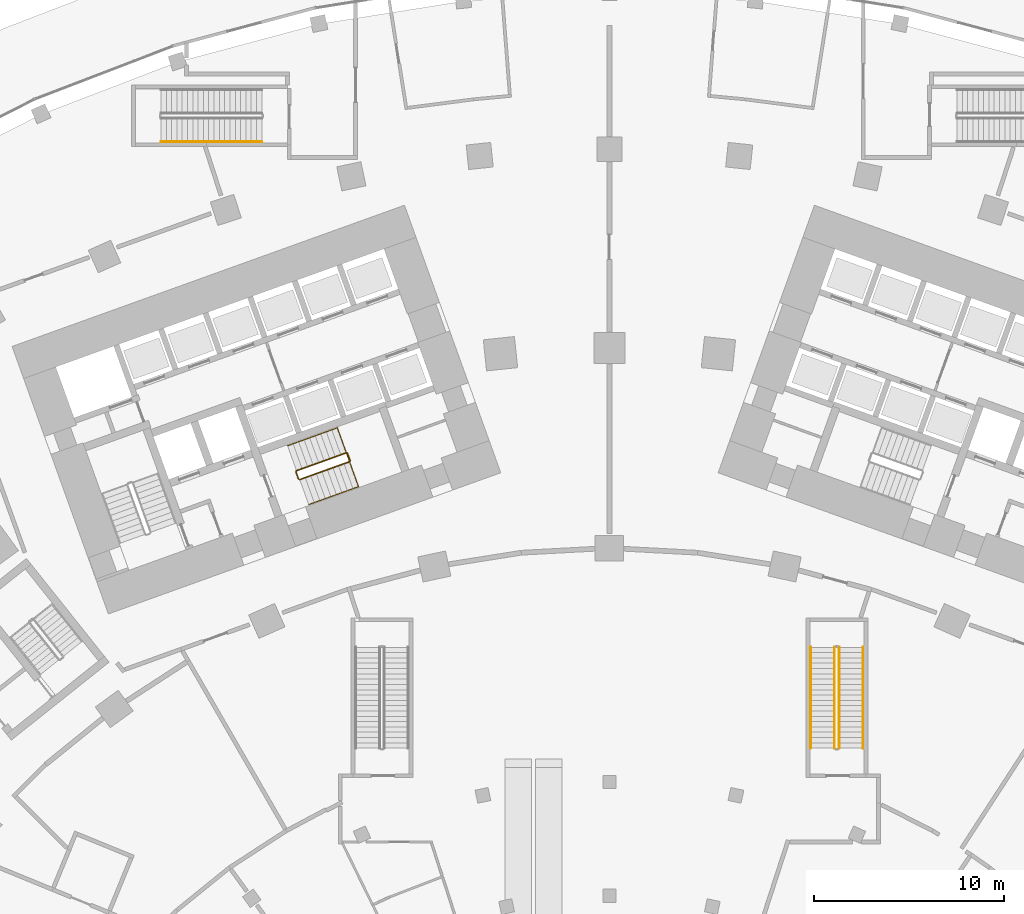
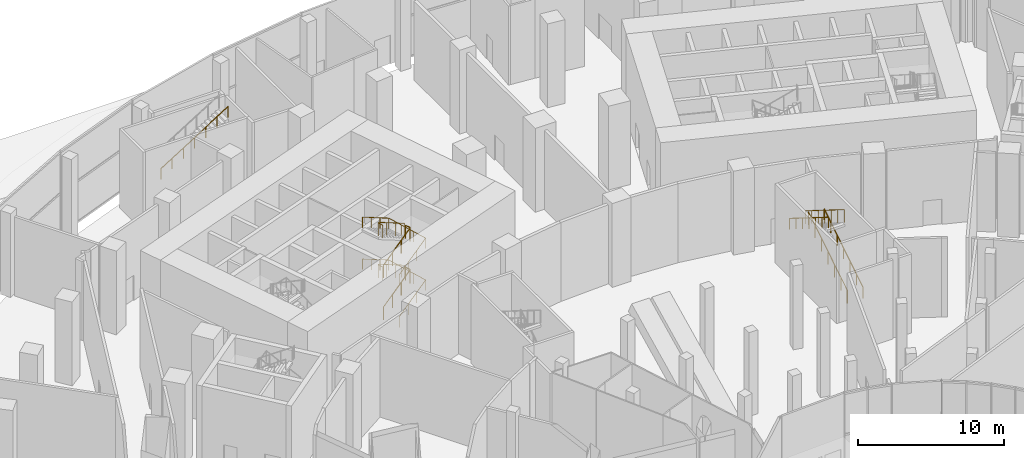
# One storey, part 52 of 60: 11 railings.
"""IFC4 building model written with IfcOpenShell, lengths in metres."""

from ifc_helpers import new_model, si_unit, direction, frame, origin, origin_2d, place, context, subcontext, project, spatial, circle, extrude, material, type_object, element, save


model = new_model("IFC4")

# Units and contexts
model_context = context("Model", 3, precision=1e-05, world=origin(), true_north=direction((0.0, 1.0)))
body_context = subcontext(model_context, "Body", "Model", "MODEL_VIEW")
ifc_project = project(units=[si_unit("LENGTHUNIT", "METRE"), si_unit("AREAUNIT", "SQUARE_METRE"), si_unit("VOLUMEUNIT", "CUBIC_METRE"), si_unit("PLANEANGLEUNIT", "RADIAN"), si_unit("MASSUNIT", "GRAM", prefix="KILO")], contexts=[model_context])

# Site, building, storey
site_placement = place(None, origin())
site = spatial("IfcSite", under=ifc_project, at=site_placement, CompositionType="ELEMENT")
building_placement = place(site_placement, origin())
building = spatial("IfcBuilding", under=site, at=building_placement, Name="Stone Belt Terrace Tower", CompositionType="ELEMENT")
storey_placement = place(building_placement, origin())
storey = spatial("IfcBuildingStorey", under=building, at=storey_placement, Name="L00", CompositionType="ELEMENT", Elevation=0.0)

# Railings
ifc_material_1 = material(Name="Steel balustrade", Category="steel")
railing_type_1 = type_object("IfcRailingType", Name="Podium stair guard", PredefinedType="GUARDRAIL", material=ifc_material_1)
railing_1_placement = place(storey_placement, frame((12.125, 33.889892578125, 0.175048828125)))
element("IfcRailing", 1, at=railing_1_placement, inside=storey, type_object=railing_type_1, Name="L00 PS6 stair guard 1", PredefinedType="GUARDRAIL", context=body_context, shape_type="SweptSolid", body=[
    extrude(circle(Radius=0.02392578125, at=origin_2d()), frame((0.0, 0.0, 1.076171875), z_axis=(0.0, 0.848004862711, 0.52998844593), x_axis=(-1.0, 0.0, 0.0)), (0.0, 0.0, 1.0), 6.273681640625),
    extrude(circle(Radius=0.02099609375, at=origin_2d()), origin(), (0.0, 0.0, 1.0), 1.052001953125),
    extrude(circle(Radius=0.02099609375, at=origin_2d()), frame((0.0, 0.88671875, 0.55419921875)), (0.0, 0.0, 1.0), 1.052001953125),
    extrude(circle(Radius=0.02099609375, at=origin_2d()), frame((0.0, 1.7734375, 1.1083984375)), (0.0, 0.0, 1.0), 1.052001953125),
    extrude(circle(Radius=0.02099609375, at=origin_2d()), frame((0.0, 2.66015625, 1.66259765625)), (0.0, 0.0, 1.0), 1.052001953125),
    extrude(circle(Radius=0.02099609375, at=origin_2d()), frame((0.0, 3.546630859375, 2.216552734375)), (0.0, 0.0, 1.0), 1.052001953125),
    extrude(circle(Radius=0.02099609375, at=origin_2d()), frame((0.0, 4.433349609375, 2.770751953125)), (0.0, 0.0, 1.0), 1.052001953125),
    extrude(circle(Radius=0.02099609375, at=origin_2d()), frame((0.0, 5.320068359375, 3.324951171875)), (0.0, 0.0, 1.0), 1.052001953125),
])
railing_2_placement = place(storey_placement, frame((11.875, 39.2099609375, 3.675048828125)))
element("IfcRailing", 2, at=railing_2_placement, inside=storey, type_object=railing_type_1, Name="L00 PS6 stair guard 3", PredefinedType="GUARDRAIL", context=body_context, shape_type="SweptSolid", body=[
    extrude(circle(Radius=0.02392578125, at=origin_2d()), frame((0.0, 0.0, 1.076171875), z_axis=(0.0, -0.848004862711, 0.52998844593), x_axis=(1.0, 0.0, 0.0)), (0.0, 0.0, 1.0), 6.273681640625),
    extrude(circle(Radius=0.02099609375, at=origin_2d()), origin(), (0.0, 0.0, 1.0), 1.052001953125),
    extrude(circle(Radius=0.02099609375, at=origin_2d()), frame((0.0, -0.88671875, 0.55419921875)), (0.0, 0.0, 1.0), 1.052001953125),
    extrude(circle(Radius=0.02099609375, at=origin_2d()), frame((0.0, -1.7734375, 1.1083984375)), (0.0, 0.0, 1.0), 1.052001953125),
    extrude(circle(Radius=0.02099609375, at=origin_2d()), frame((0.0, -2.66015625, 1.66259765625)), (0.0, 0.0, 1.0), 1.052001953125),
    extrude(circle(Radius=0.02099609375, at=origin_2d()), frame((0.0, -3.546630859375, 2.216552734375)), (0.0, 0.0, 1.0), 1.052001953125),
    extrude(circle(Radius=0.02099609375, at=origin_2d()), frame((0.0, -4.433349609375, 2.770751953125)), (0.0, 0.0, 1.0), 1.052001953125),
    extrude(circle(Radius=0.02099609375, at=origin_2d()), frame((0.0, -5.320068359375, 3.324951171875)), (0.0, 0.0, 1.0), 1.052001953125),
])
ifc_material_2 = material(Name="Stainless steel handrail", Category="steel")
railing_type_2 = type_object("IfcRailingType", Name="Podium stair handrail", PredefinedType="HANDRAIL", material=ifc_material_2)
railing_3_placement = place(storey_placement, frame((13.375, 33.889892578125, 0.175048828125)))
element("IfcRailing", 3, at=railing_3_placement, inside=storey, type_object=railing_type_2, Name="L00 PS6 stair handrail 1", PredefinedType="HANDRAIL", context=body_context, shape_type="SweptSolid", body=[
    extrude(circle(Radius=0.02392578125, at=origin_2d()), frame((0.0, 0.0, 0.8759765625), z_axis=(0.0, 0.848004862711, 0.52998844593), x_axis=(-1.0, 0.0, 0.0)), (0.0, 0.0, 1.0), 6.273681640625),
    extrude(circle(Radius=0.02099609375, at=origin_2d()), origin(), (0.0, 0.0, 1.0), 0.851806640625),
    extrude(circle(Radius=0.02099609375, at=origin_2d()), frame((0.0, 0.88671875, 0.55419921875)), (0.0, 0.0, 1.0), 0.851806640625),
    extrude(circle(Radius=0.02099609375, at=origin_2d()), frame((0.0, 1.7734375, 1.1083984375)), (0.0, 0.0, 1.0), 0.851806640625),
    extrude(circle(Radius=0.02099609375, at=origin_2d()), frame((0.0, 2.66015625, 1.66259765625)), (0.0, 0.0, 1.0), 0.851806640625),
    extrude(circle(Radius=0.02099609375, at=origin_2d()), frame((0.0, 3.546630859375, 2.216552734375)), (0.0, 0.0, 1.0), 0.851806640625),
    extrude(circle(Radius=0.02099609375, at=origin_2d()), frame((0.0, 4.433349609375, 2.770751953125)), (0.0, 0.0, 1.0), 0.851806640625),
    extrude(circle(Radius=0.02099609375, at=origin_2d()), frame((0.0, 5.320068359375, 3.324951171875)), (0.0, 0.0, 1.0), 0.851806640625),
])
railing_4_placement = place(storey_placement, frame((10.625, 39.2099609375, 3.675048828125)))
element("IfcRailing", 4, at=railing_4_placement, inside=storey, type_object=railing_type_2, Name="L00 PS6 stair handrail 2", PredefinedType="HANDRAIL", context=body_context, shape_type="SweptSolid", body=[
    extrude(circle(Radius=0.02392578125, at=origin_2d()), frame((0.0, 0.0, 0.8759765625), z_axis=(0.0, -0.848004862711, 0.52998844593), x_axis=(1.0, 0.0, 0.0)), (0.0, 0.0, 1.0), 6.273681640625),
    extrude(circle(Radius=0.02099609375, at=origin_2d()), origin(), (0.0, 0.0, 1.0), 0.851806640625),
    extrude(circle(Radius=0.02099609375, at=origin_2d()), frame((0.0, -0.88671875, 0.55419921875)), (0.0, 0.0, 1.0), 0.851806640625),
    extrude(circle(Radius=0.02099609375, at=origin_2d()), frame((0.0, -1.7734375, 1.1083984375)), (0.0, 0.0, 1.0), 0.851806640625),
    extrude(circle(Radius=0.02099609375, at=origin_2d()), frame((0.0, -2.66015625, 1.66259765625)), (0.0, 0.0, 1.0), 0.851806640625),
    extrude(circle(Radius=0.02099609375, at=origin_2d()), frame((0.0, -3.546630859375, 2.216552734375)), (0.0, 0.0, 1.0), 0.851806640625),
    extrude(circle(Radius=0.02099609375, at=origin_2d()), frame((0.0, -4.433349609375, 2.770751953125)), (0.0, 0.0, 1.0), 0.851806640625),
    extrude(circle(Radius=0.02099609375, at=origin_2d()), frame((0.0, -5.320068359375, 3.324951171875)), (0.0, 0.0, 1.0), 0.851806640625),
])
railing_5_placement = place(storey_placement, frame((-23.659912109375, 65.875, 3.675048828125)))
element("IfcRailing", 5, at=railing_5_placement, inside=storey, type_object=railing_type_2, Name="L00 PS7 stair handrail 2", PredefinedType="HANDRAIL", context=body_context, shape_type="SweptSolid", body=[
    extrude(circle(Radius=0.02392578125, at=origin_2d()), frame((0.0, 0.0, 0.8759765625), z_axis=(0.847993931318, 0.0, 0.530005936238), x_axis=(0.0, 1.0, 0.0)), (0.0, 0.0, 1.0), 6.2734375),
    extrude(circle(Radius=0.02099609375, at=origin_2d()), origin(), (0.0, 0.0, 1.0), 0.851806640625),
    extrude(circle(Radius=0.02099609375, at=origin_2d()), frame((0.88671875, 0.0, 0.55419921875)), (0.0, 0.0, 1.0), 0.851806640625),
    extrude(circle(Radius=0.02099609375, at=origin_2d()), frame((1.773193359375, 0.0, 1.1083984375)), (0.0, 0.0, 1.0), 0.851806640625),
    extrude(circle(Radius=0.02099609375, at=origin_2d()), frame((2.659912109375, 0.0, 1.66259765625)), (0.0, 0.0, 1.0), 0.851806640625),
    extrude(circle(Radius=0.02099609375, at=origin_2d()), frame((3.546630859375, 0.0, 2.216552734375)), (0.0, 0.0, 1.0), 0.851806640625),
    extrude(circle(Radius=0.02099609375, at=origin_2d()), frame((4.43310546875, 0.0, 2.770751953125)), (0.0, 0.0, 1.0), 0.851806640625),
    extrude(circle(Radius=0.02099609375, at=origin_2d()), frame((5.31982421875, 0.0, 3.324951171875)), (0.0, 0.0, 1.0), 0.851806640625),
])
ifc_material_3 = material(Name="Structural steel C345", Category="steel")
railing_type_3 = type_object("IfcRailingType", Name="Stair guard 1100", PredefinedType="GUARDRAIL", material=ifc_material_3)
railing_6_placement = place(storey_placement, frame((-16.33837890625, 48.056640625, 0.175048828125)))
element("IfcRailing", 6, at=railing_6_placement, inside=storey, type_object=railing_type_3, Name="L00 ST2A stair guard 1", PredefinedType="GUARDRAIL", context=body_context, shape_type="SweptSolid", body=[
    extrude(circle(Radius=0.02392578125, at=origin_2d()), frame((0.0, 0.0, 1.076171875), z_axis=(0.819404758146, 0.294827211873, 0.491581892941), x_axis=(-0.33855833441, 0.940945404474, 0.0)), (0.0, 0.0, 1.0), 3.203857421875),
    extrude(circle(Radius=0.02392578125, at=origin_2d()), frame((2.625244140625, 0.944580078125, 2.65087890625), z_axis=(0.424964916, 0.905209821074, 0.0), x_axis=(-0.905209821074, 0.424964916, 0.0)), (0.0, 0.0, 1.0), 0.070556640625),
    extrude(circle(Radius=0.02392578125, at=origin_2d()), frame((2.6552734375, 1.008544921875, 2.65087890625), z_axis=(-0.338654645739, 0.940910745459, 0.0), x_axis=(-0.940910745459, -0.338654645739, 0.0)), (0.0, 0.0, 1.0), 0.400146484375),
    extrude(circle(Radius=0.02099609375, at=origin_2d()), origin(), (0.0, 0.0, 1.0), 1.052001953125),
    extrude(circle(Radius=0.02099609375, at=origin_2d()), frame((0.875, 0.31494140625, 0.52490234375)), (0.0, 0.0, 1.0), 1.052001953125),
    extrude(circle(Radius=0.02099609375, at=origin_2d()), frame((1.750244140625, 0.629638671875, 1.050048828125)), (0.0, 0.0, 1.0), 1.052001953125),
    extrude(circle(Radius=0.02099609375, at=origin_2d()), frame((2.625244140625, 0.944580078125, 1.574951171875)), (0.0, 0.0, 1.0), 1.052001953125),
    extrude(circle(Radius=0.02099609375, at=origin_2d()), frame((2.6552734375, 1.008544921875, 1.574951171875)), (0.0, 0.0, 1.0), 1.052001953125),
    extrude(circle(Radius=0.02099609375, at=origin_2d()), frame((2.519775390625, 1.385009765625, 1.574951171875)), (0.0, 0.0, 1.0), 1.052001953125),
])
railing_7_placement = place(storey_placement, frame((-13.882568359375, 49.4716796875, 1.925048828125)))
element("IfcRailing", 7, at=railing_7_placement, inside=storey, type_object=railing_type_3, Name="L00 ST2A stair guard 2", PredefinedType="GUARDRAIL", context=body_context, shape_type="SweptSolid", body=[
    extrude(circle(Radius=0.02392578125, at=origin_2d()), frame((0.0, 0.0, 1.076171875), z_axis=(-0.819379717522, -0.294845621939, 0.491612589075), x_axis=(0.338586212702, -0.940935373215, 0.0)), (0.0, 0.0, 1.0), 3.20361328125),
    extrude(circle(Radius=0.02392578125, at=origin_2d()), frame((-2.625, -0.944580078125, 2.65087890625), z_axis=(-0.427789722475, -0.903878284585, 0.0), x_axis=(0.903878284585, -0.427789722475, 0.0)), (0.0, 0.0, 1.0), 0.07080078125),
    extrude(circle(Radius=0.02392578125, at=origin_2d()), frame((-2.6552734375, -1.008544921875, 2.65087890625), z_axis=(0.338654645739, -0.940910745459, 0.0), x_axis=(0.940910745459, 0.338654645739, 0.0)), (0.0, 0.0, 1.0), 0.400146484375),
    extrude(circle(Radius=0.02099609375, at=origin_2d()), origin(), (0.0, 0.0, 1.0), 1.052001953125),
    extrude(circle(Radius=0.02099609375, at=origin_2d()), frame((-0.875, -0.31494140625, 0.52490234375)), (0.0, 0.0, 1.0), 1.052001953125),
    extrude(circle(Radius=0.02099609375, at=origin_2d()), frame((-1.75, -0.629638671875, 1.050048828125)), (0.0, 0.0, 1.0), 1.052001953125),
    extrude(circle(Radius=0.02099609375, at=origin_2d()), frame((-2.625, -0.944580078125, 1.574951171875)), (0.0, 0.0, 1.0), 1.052001953125),
    extrude(circle(Radius=0.02099609375, at=origin_2d()), frame((-2.6552734375, -1.008544921875, 1.574951171875)), (0.0, 0.0, 1.0), 1.052001953125),
    extrude(circle(Radius=0.02099609375, at=origin_2d()), frame((-2.519775390625, -1.385009765625, 1.574951171875)), (0.0, 0.0, 1.0), 1.052001953125),
])
railing_8_placement = place(storey_placement, frame((-16.33837890625, 48.056640625, 3.675048828125)))
element("IfcRailing", 8, at=railing_8_placement, inside=storey, type_object=railing_type_3, Name="L00 ST2A stair guard 3", PredefinedType="GUARDRAIL", context=body_context, shape_type="SweptSolid", body=[
    extrude(circle(Radius=0.02392578125, at=origin_2d()), frame((0.0, 0.0, 1.076171875), z_axis=(0.819404758146, 0.294827211873, 0.491581892941), x_axis=(-0.33855833441, 0.940945404474, 0.0)), (0.0, 0.0, 1.0), 3.203857421875),
    extrude(circle(Radius=0.02392578125, at=origin_2d()), frame((2.625244140625, 0.944580078125, 2.65087890625), z_axis=(0.424964916, 0.905209821074, 0.0), x_axis=(-0.905209821074, 0.424964916, 0.0)), (0.0, 0.0, 1.0), 0.070556640625),
    extrude(circle(Radius=0.02392578125, at=origin_2d()), frame((2.6552734375, 1.008544921875, 2.65087890625), z_axis=(-0.338654645739, 0.940910745459, 0.0), x_axis=(-0.940910745459, -0.338654645739, 0.0)), (0.0, 0.0, 1.0), 0.400146484375),
    extrude(circle(Radius=0.02099609375, at=origin_2d()), origin(), (0.0, 0.0, 1.0), 1.052001953125),
    extrude(circle(Radius=0.02099609375, at=origin_2d()), frame((0.875, 0.31494140625, 0.52490234375)), (0.0, 0.0, 1.0), 1.052001953125),
    extrude(circle(Radius=0.02099609375, at=origin_2d()), frame((1.750244140625, 0.629638671875, 1.050048828125)), (0.0, 0.0, 1.0), 1.052001953125),
    extrude(circle(Radius=0.02099609375, at=origin_2d()), frame((2.625244140625, 0.944580078125, 1.574951171875)), (0.0, 0.0, 1.0), 1.052001953125),
    extrude(circle(Radius=0.02099609375, at=origin_2d()), frame((2.6552734375, 1.008544921875, 1.574951171875)), (0.0, 0.0, 1.0), 1.052001953125),
    extrude(circle(Radius=0.02099609375, at=origin_2d()), frame((2.519775390625, 1.385009765625, 1.574951171875)), (0.0, 0.0, 1.0), 1.052001953125),
])
railing_9_placement = place(storey_placement, frame((-13.882568359375, 49.4716796875, 5.425048828125)))
element("IfcRailing", 9, at=railing_9_placement, inside=storey, type_object=railing_type_3, Name="L00 ST2A stair guard 4", PredefinedType="GUARDRAIL", context=body_context, shape_type="SweptSolid", body=[
    extrude(circle(Radius=0.02392578125, at=origin_2d()), frame((0.0, 0.0, 1.076171875), z_axis=(-0.819379717522, -0.294845621939, 0.491612589075), x_axis=(0.338586212702, -0.940935373215, 0.0)), (0.0, 0.0, 1.0), 3.20361328125),
    extrude(circle(Radius=0.02392578125, at=origin_2d()), frame((-2.625, -0.944580078125, 2.65087890625), z_axis=(-0.427789722475, -0.903878284585, 0.0), x_axis=(0.903878284585, -0.427789722475, 0.0)), (0.0, 0.0, 1.0), 0.07080078125),
    extrude(circle(Radius=0.02392578125, at=origin_2d()), frame((-2.6552734375, -1.008544921875, 2.65087890625), z_axis=(0.338654645739, -0.940910745459, 0.0), x_axis=(0.940910745459, 0.338654645739, 0.0)), (0.0, 0.0, 1.0), 0.400146484375),
    extrude(circle(Radius=0.02099609375, at=origin_2d()), origin(), (0.0, 0.0, 1.0), 1.052001953125),
    extrude(circle(Radius=0.02099609375, at=origin_2d()), frame((-0.875, -0.31494140625, 0.52490234375)), (0.0, 0.0, 1.0), 1.052001953125),
    extrude(circle(Radius=0.02099609375, at=origin_2d()), frame((-1.75, -0.629638671875, 1.050048828125)), (0.0, 0.0, 1.0), 1.052001953125),
    extrude(circle(Radius=0.02099609375, at=origin_2d()), frame((-2.625, -0.944580078125, 1.574951171875)), (0.0, 0.0, 1.0), 1.052001953125),
    extrude(circle(Radius=0.02099609375, at=origin_2d()), frame((-2.6552734375, -1.008544921875, 1.574951171875)), (0.0, 0.0, 1.0), 1.052001953125),
    extrude(circle(Radius=0.02099609375, at=origin_2d()), frame((-2.519775390625, -1.385009765625, 1.574951171875)), (0.0, 0.0, 1.0), 1.052001953125),
])
railing_type_4 = type_object("IfcRailingType", Name="Stair handrail 900", PredefinedType="HANDRAIL", material=ifc_material_3)
railing_10_placement = place(storey_placement, frame((-15.8642578125, 46.7392578125, 0.175048828125)))
element("IfcRailing", 10, at=railing_10_placement, inside=storey, type_object=railing_type_4, Name="L00 ST2A stair handrail 1", PredefinedType="HANDRAIL", context=body_context, shape_type="SweptSolid", body=[
    extrude(circle(Radius=0.02392578125, at=origin_2d()), frame((0.0, 0.0, 0.8759765625), z_axis=(0.819386347189, 0.29489678821, 0.491570847737), x_axis=(-0.338635806332, 0.940917525966, 0.0)), (0.0, 0.0, 1.0), 3.203857421875),
    extrude(circle(Radius=0.02392578125, at=origin_2d()), frame((2.625244140625, 0.94482421875, 2.45068359375), z_axis=(-0.338212541578, 0.939577785887, 0.052970378399), x_axis=(-0.940898728651, -0.338688031118, 0.0)), (0.0, 0.0, 1.0), 3.3046875),
    extrude(circle(Radius=0.02392578125, at=origin_2d()), frame((1.507568359375, 4.0498046875, 2.6259765625), z_axis=(-0.819361304828, -0.294915201794, 0.491601541801), x_axis=(0.338663689351, -0.940907490413, 0.0)), (0.0, 0.0, 1.0), 3.20361328125),
    extrude(circle(Radius=0.02099609375, at=origin_2d()), origin(), (0.0, 0.0, 1.0), 0.851806640625),
    extrude(circle(Radius=0.02099609375, at=origin_2d()), frame((0.875, 0.31494140625, 0.52490234375)), (0.0, 0.0, 1.0), 0.851806640625),
    extrude(circle(Radius=0.02099609375, at=origin_2d()), frame((1.750244140625, 0.6298828125, 1.050048828125)), (0.0, 0.0, 1.0), 0.851806640625),
    extrude(circle(Radius=0.02099609375, at=origin_2d()), frame((2.625244140625, 0.94482421875, 1.574951171875)), (0.0, 0.0, 1.0), 0.851806640625),
    extrude(circle(Radius=0.02099609375, at=origin_2d()), frame((2.252685546875, 1.979736328125, 1.63330078125)), (0.0, 0.0, 1.0), 0.851806640625),
    extrude(circle(Radius=0.02099609375, at=origin_2d()), frame((1.880126953125, 3.014892578125, 1.691650390625)), (0.0, 0.0, 1.0), 0.851806640625),
    extrude(circle(Radius=0.02099609375, at=origin_2d()), frame((1.507568359375, 4.0498046875, 1.75)), (0.0, 0.0, 1.0), 0.851806640625),
    extrude(circle(Radius=0.02099609375, at=origin_2d()), frame((0.632568359375, 3.73486328125, 2.27490234375)), (0.0, 0.0, 1.0), 0.851806640625),
    extrude(circle(Radius=0.02099609375, at=origin_2d()), frame((-0.242431640625, 3.419921875, 2.800048828125)), (0.0, 0.0, 1.0), 0.851806640625),
    extrude(circle(Radius=0.02099609375, at=origin_2d()), frame((-1.117431640625, 3.10498046875, 3.324951171875)), (0.0, 0.0, 1.0), 0.851806640625),
])
railing_11_placement = place(storey_placement, frame((-15.8642578125, 46.7392578125, 3.675048828125)))
element("IfcRailing", 11, at=railing_11_placement, inside=storey, type_object=railing_type_4, Name="L00 ST2A stair handrail 2", PredefinedType="HANDRAIL", context=body_context, shape_type="SweptSolid", body=[
    extrude(circle(Radius=0.02392578125, at=origin_2d()), frame((0.0, 0.0, 0.8759765625), z_axis=(0.819386347189, 0.29489678821, 0.491570847737), x_axis=(-0.338635806332, 0.940917525966, 0.0)), (0.0, 0.0, 1.0), 3.203857421875),
    extrude(circle(Radius=0.02392578125, at=origin_2d()), frame((2.625244140625, 0.94482421875, 2.45068359375), z_axis=(-0.338212541578, 0.939577785887, 0.052970378399), x_axis=(-0.940898728651, -0.338688031118, 0.0)), (0.0, 0.0, 1.0), 3.3046875),
    extrude(circle(Radius=0.02392578125, at=origin_2d()), frame((1.507568359375, 4.0498046875, 2.6259765625), z_axis=(-0.819361304828, -0.294915201794, 0.491601541801), x_axis=(0.338663689351, -0.940907490413, 0.0)), (0.0, 0.0, 1.0), 3.20361328125),
    extrude(circle(Radius=0.02099609375, at=origin_2d()), origin(), (0.0, 0.0, 1.0), 0.851806640625),
    extrude(circle(Radius=0.02099609375, at=origin_2d()), frame((0.875, 0.31494140625, 0.52490234375)), (0.0, 0.0, 1.0), 0.851806640625),
    extrude(circle(Radius=0.02099609375, at=origin_2d()), frame((1.750244140625, 0.6298828125, 1.050048828125)), (0.0, 0.0, 1.0), 0.851806640625),
    extrude(circle(Radius=0.02099609375, at=origin_2d()), frame((2.625244140625, 0.94482421875, 1.574951171875)), (0.0, 0.0, 1.0), 0.851806640625),
    extrude(circle(Radius=0.02099609375, at=origin_2d()), frame((2.252685546875, 1.979736328125, 1.63330078125)), (0.0, 0.0, 1.0), 0.851806640625),
    extrude(circle(Radius=0.02099609375, at=origin_2d()), frame((1.880126953125, 3.014892578125, 1.691650390625)), (0.0, 0.0, 1.0), 0.851806640625),
    extrude(circle(Radius=0.02099609375, at=origin_2d()), frame((1.507568359375, 4.0498046875, 1.75)), (0.0, 0.0, 1.0), 0.851806640625),
    extrude(circle(Radius=0.02099609375, at=origin_2d()), frame((0.632568359375, 3.73486328125, 2.27490234375)), (0.0, 0.0, 1.0), 0.851806640625),
    extrude(circle(Radius=0.02099609375, at=origin_2d()), frame((-0.242431640625, 3.419921875, 2.800048828125)), (0.0, 0.0, 1.0), 0.851806640625),
    extrude(circle(Radius=0.02099609375, at=origin_2d()), frame((-1.117431640625, 3.10498046875, 3.324951171875)), (0.0, 0.0, 1.0), 0.851806640625),
])

save(model, "model.ifc")
